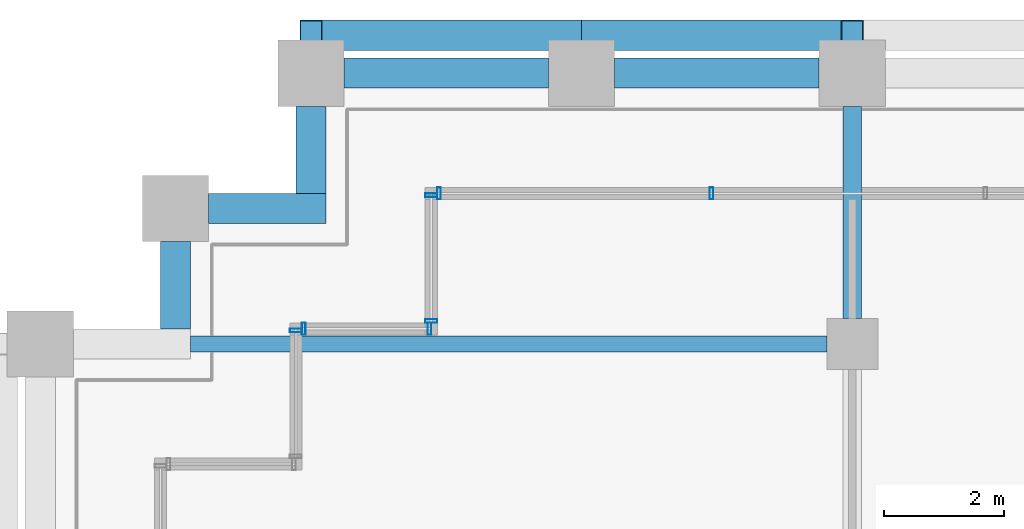
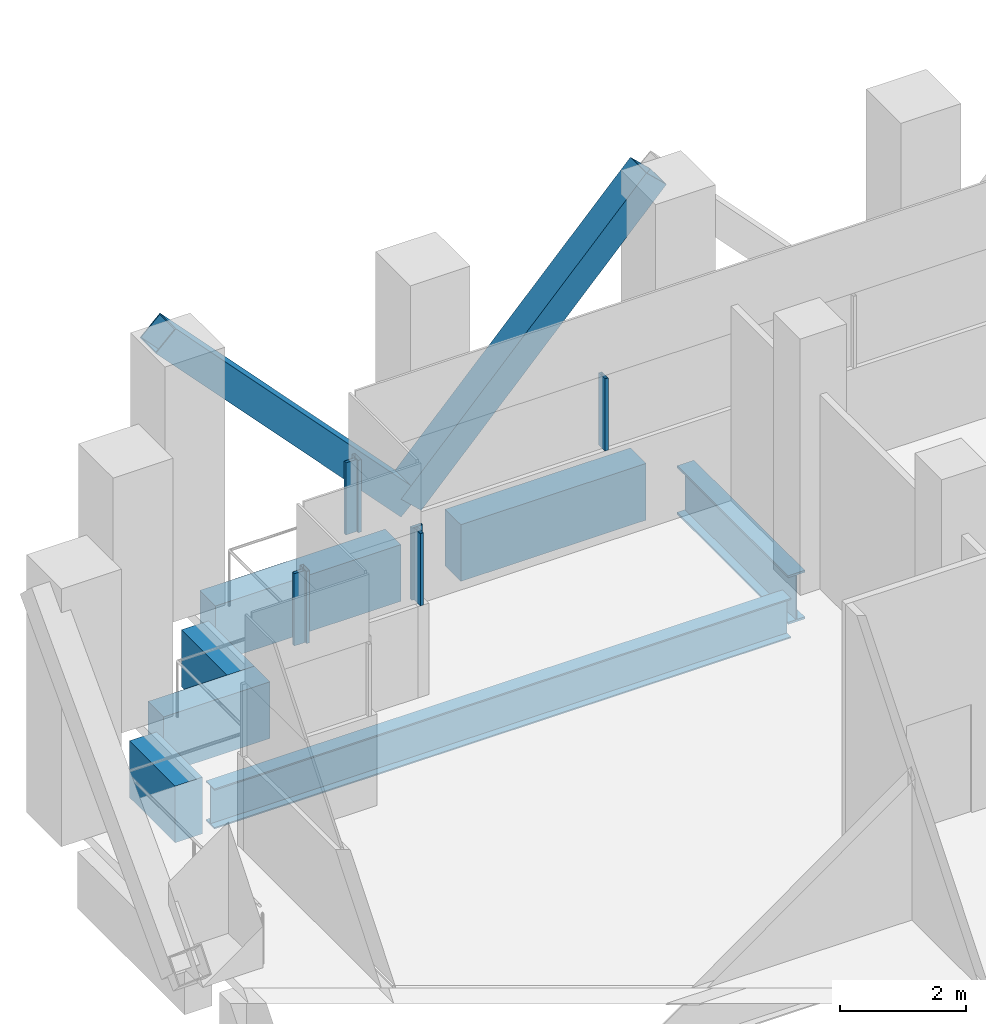
# One storey, part 18 of 44: 9 members, 7 beams, 4 elements without a shape of their own.
"""IFC4 building model written with IfcOpenShell, lengths in metres."""

from ifc_helpers import new_model, si_unit, direction, frame, origin, origin_2d, place, context, subcontext, project, spatial, rectangle, hollow_rectangle, i_section, extrude, material, material_profile, profile_set, type_object, element, aggregate, save


model = new_model("IFC4")

# Units and contexts
model_context = context("Model", 3, precision=1e-05, world=origin(), true_north=direction((0.0, 1.0)))
body_context = subcontext(model_context, "Body", "Model", "MODEL_VIEW")
ifc_project = project(units=[si_unit("LENGTHUNIT", "METRE"), si_unit("AREAUNIT", "SQUARE_METRE"), si_unit("VOLUMEUNIT", "CUBIC_METRE"), si_unit("PLANEANGLEUNIT", "RADIAN"), si_unit("MASSUNIT", "GRAM", prefix="KILO")], contexts=[model_context])

# Site, building, storey
site_placement = place(None, origin())
site = spatial("IfcSite", under=ifc_project, at=site_placement, CompositionType="ELEMENT")
building_placement = place(site_placement, origin())
building = spatial("IfcBuilding", under=site, at=building_placement, Name="Altepetl Exchange Towers", CompositionType="ELEMENT")
storey_placement = place(building_placement, frame((0.0, 0.0, 87.0)))
storey = spatial("IfcBuildingStorey", under=building, at=storey_placement, Name="L21 Refuge", CompositionType="ELEMENT", Elevation=87.0)

# Members
ifc_material_1 = material(Name="Steel S355", Category="steel")
ifc_material_profile_1 = material_profile(ifc_material_1, hollow_rectangle(XDim=0.508056640625, YDim=0.508056640625, WallThickness=0.017578125, at=origin_2d()), Name="HSS508X508X19.0")
ifc_profile_set_1 = profile_set([ifc_material_profile_1], Name="Steel S355")
member_type_1 = type_object("IfcMemberType", Name="Belt diagonal HSS508X508X19.0", PredefinedType="BRACE", material=ifc_profile_set_1)
for number, where, z_axis, x_axis, name in (
    (1, (40.5, 72.6298828125, 4.75), (-0.687744647911, 0.0, -0.725952683906), (0.0, -1.0, 0.0), "brc:A:L21:019"),
    (2, (36.0, 72.6298828125, 0.0), (-0.687744647911, 0.0, 0.725952683906), (0.0, -1.0, 0.0), "brc:A:L21:020"),
):
    element("IfcMember", number, at=place(storey_placement, frame(where, z_axis=z_axis, x_axis=x_axis)), inside=storey, type_object=member_type_1, Name=name, PredefinedType="BRACE", context=body_context, shape_type="SweptSolid", body=[
        extrude(hollow_rectangle(XDim=0.508056640625, YDim=0.508056640625, WallThickness=0.017578125, at=origin_2d()), origin(), (0.0, 0.0, 1.0), 6.543212890625),
    ])

# Beams
ifc_material_profile_2 = material_profile(ifc_material_1, i_section(OverallWidth=0.26806640625, OverallDepth=0.77392578125, WebThickness=0.015380859375, FlangeThickness=0.025390625, at=origin_2d()), Name="W30X132")
ifc_profile_set_2 = profile_set([ifc_material_profile_2], Name="Steel S355")
beam_type_1 = type_object("IfcBeamType", Name="Floor beam W30X132", PredefinedType="BEAM", material=ifc_profile_set_2)
beam_1_placement = place(storey_placement, frame((29.5, 67.5, -0.5869140625), z_axis=(1.0, 0.0, 0.0), x_axis=(0.0, 1.0, 0.0)))
element("IfcBeam", 3, at=beam_1_placement, inside=storey, type_object=beam_type_1, Name="bm:A:L21:023", PredefinedType="BEAM", context=body_context, shape_type="SweptSolid", body=[
    extrude(i_section(OverallWidth=0.26806640625, OverallDepth=0.77392578125, WebThickness=0.015380859375, FlangeThickness=0.025390625, at=origin_2d()), origin(), (0.0, 0.0, 1.0), 10.574951171875),
])
ifc_material_profile_3 = material_profile(ifc_material_1, i_section(OverallWidth=0.30810546875, OverallDepth=0.943115234375, WebThickness=0.022216796875, FlangeThickness=0.039794921875, at=origin_2d()), Name="W36X232")
ifc_profile_set_3 = profile_set([ifc_material_profile_3], Name="Steel S355")
beam_type_2 = type_object("IfcBeamType", Name="Girder W36X232", PredefinedType="BEAM", material=ifc_profile_set_3)
beam_2_placement = place(storey_placement, frame((40.5, 71.449951171875, -0.67138671875), z_axis=(0.0, -1.0, 0.0), x_axis=(1.0, 0.0, 0.0)))
element("IfcBeam", 4, at=beam_2_placement, inside=storey, type_object=beam_type_2, Name="gd:A:L21:003", PredefinedType="BEAM", context=body_context, shape_type="SweptSolid", body=[
    extrude(i_section(OverallWidth=0.30810546875, OverallDepth=0.943115234375, WebThickness=0.022216796875, FlangeThickness=0.039794921875, at=origin_2d()), origin(), (0.0, 0.0, 1.0), 3.52490234375),
])

# Curtain wall, members
ifc_material_2 = material(Name="Aluminium 6063-T6 glazing", Category="aluminium")
curtain_wall_type = type_object("IfcCurtainWallType", Name="Refuge slit glazing system", PredefinedType="NOTDEFINED", material=ifc_material_2)
curtain_wall_1_placement = place(storey_placement, origin())
curtain_wall_1 = element("IfcCurtainWall", 5, at=curtain_wall_1_placement, inside=storey, type_object=curtain_wall_type, Name="CW3 run", PredefinedType="NOTDEFINED")
ifc_material_3 = material(Name="Aluminium 6063-T6", Category="aluminium")
ifc_material_profile_4 = material_profile(ifc_material_3, hollow_rectangle(XDim=0.06005859375, YDim=0.199951171875, WallThickness=0.0029296875, at=origin_2d()), Name="Mullion 60x200 aluminium")
ifc_profile_set_4 = profile_set([ifc_material_profile_4], Name="Aluminium 6063-T6")
member_type_2 = type_object("IfcMemberType", Name="Mullion 60x200 aluminium", PredefinedType="MULLION", material=ifc_profile_set_4)
member_1_placement = place(storey_placement, frame((38.1572265625, 70.0, 1.800048828125), z_axis=(0.0, 0.0, 1.0), x_axis=(-1.0, 0.0, 0.0)))
member_1 = element("IfcMember", 6, at=member_1_placement, type_object=member_type_2, Name="MU2 mullion", PredefinedType="MULLION", context=body_context, shape_type="SweptSolid", body=[
    extrude(hollow_rectangle(XDim=0.06005859375, YDim=0.199951171875, WallThickness=0.0029296875, at=origin_2d()), origin(), (0.0, 0.0, 1.0), 1.39990234375),
])
member_2_placement = place(storey_placement, frame((33.6298828125, 70.0, 1.800048828125), z_axis=(0.0, 0.0, 1.0), x_axis=(-1.0, 0.0, 0.0)))
member_2 = element("IfcMember", 7, at=member_2_placement, type_object=member_type_2, Name="MU2 mullion", PredefinedType="MULLION", context=body_context, shape_type="SweptSolid", body=[
    extrude(hollow_rectangle(XDim=0.06005859375, YDim=0.199951171875, WallThickness=0.0029296875, at=origin_2d()), origin(), (0.0, 0.0, 1.0), 1.39990234375),
])
aggregate(curtain_wall_1, [member_1, member_2])

curtain_wall_2_placement = place(storey_placement, origin())
curtain_wall_2 = element("IfcCurtainWall", 8, at=curtain_wall_2_placement, inside=storey, type_object=curtain_wall_type, Name="CW3 run", PredefinedType="NOTDEFINED")
member_3_placement = place(storey_placement, frame((33.5, 69.969970703125, 1.800048828125), z_axis=(0.0, 0.0, 1.0), x_axis=(0.0, -1.0, 0.0)))
member_3 = element("IfcMember", 9, at=member_3_placement, type_object=member_type_2, Name="MU2 mullion", PredefinedType="MULLION", context=body_context, shape_type="SweptSolid", body=[
    extrude(hollow_rectangle(XDim=0.06005859375, YDim=0.199951171875, WallThickness=0.0029296875, at=origin_2d()), origin(), (0.0, 0.0, 1.0), 1.39990234375),
])
member_4_placement = place(storey_placement, frame((33.5, 67.8798828125, 1.800048828125), z_axis=(0.0, 0.0, 1.0), x_axis=(0.0, -1.0, 0.0)))
member_4 = element("IfcMember", 10, at=member_4_placement, type_object=member_type_2, Name="MU2 mullion", PredefinedType="MULLION", context=body_context, shape_type="SweptSolid", body=[
    extrude(hollow_rectangle(XDim=0.06005859375, YDim=0.199951171875, WallThickness=0.0029296875, at=origin_2d()), origin(), (0.0, 0.0, 1.0), 1.39990234375),
])
aggregate(curtain_wall_2, [member_3, member_4])

curtain_wall_3_placement = place(storey_placement, origin())
curtain_wall_3 = element("IfcCurtainWall", 11, at=curtain_wall_3_placement, inside=storey, type_object=curtain_wall_type, Name="CW3 run", PredefinedType="NOTDEFINED")
member_5_placement = place(storey_placement, frame((33.469970703125, 67.75, 1.800048828125), z_axis=(0.0, 0.0, 1.0), x_axis=(-1.0, 0.0, 0.0)))
member_5 = element("IfcMember", 12, at=member_5_placement, type_object=member_type_2, Name="MU2 mullion", PredefinedType="MULLION", context=body_context, shape_type="SweptSolid", body=[
    extrude(hollow_rectangle(XDim=0.06005859375, YDim=0.199951171875, WallThickness=0.0029296875, at=origin_2d()), origin(), (0.0, 0.0, 1.0), 1.39990234375),
])
member_6_placement = place(storey_placement, frame((31.3798828125, 67.75, 1.800048828125), z_axis=(0.0, 0.0, 1.0), x_axis=(-1.0, 0.0, 0.0)))
member_6 = element("IfcMember", 13, at=member_6_placement, type_object=member_type_2, Name="MU2 mullion", PredefinedType="MULLION", context=body_context, shape_type="SweptSolid", body=[
    extrude(hollow_rectangle(XDim=0.06005859375, YDim=0.199951171875, WallThickness=0.0029296875, at=origin_2d()), origin(), (0.0, 0.0, 1.0), 1.39990234375),
])
aggregate(curtain_wall_3, [member_5, member_6])

# Curtain wall, member
curtain_wall_4_placement = place(storey_placement, origin())
curtain_wall_4 = element("IfcCurtainWall", 14, at=curtain_wall_4_placement, inside=storey, type_object=curtain_wall_type, Name="CW3 run", PredefinedType="NOTDEFINED")
member_7_placement = place(storey_placement, frame((31.25, 67.719970703125, 1.800048828125), z_axis=(0.0, 0.0, 1.0), x_axis=(0.0, -1.0, 0.0)))
member_7 = element("IfcMember", 15, at=member_7_placement, type_object=member_type_2, Name="MU2 mullion", PredefinedType="MULLION", context=body_context, shape_type="SweptSolid", body=[
    extrude(hollow_rectangle(XDim=0.06005859375, YDim=0.199951171875, WallThickness=0.0029296875, at=origin_2d()), origin(), (0.0, 0.0, 1.0), 1.39990234375),
])
aggregate(curtain_wall_4, [member_7])

# Beams
ifc_material_4 = material(Name="Concrete C50/60 precast with tezontle facing", Category="concrete")
ifc_material_profile_5 = material_profile(ifc_material_4, rectangle(XDim=0.5, YDim=1.10009765625, at=origin_2d()), Name="500 x 1100")
ifc_profile_set_5 = profile_set([ifc_material_profile_5], Name="Concrete C50/60 precast with tezontle facing")
beam_type_3 = type_object("IfcBeamType", Name="Spandrel beam 500x1100 tezontle", PredefinedType="SPANDREL", material=ifc_profile_set_5)
for number, where, z_axis, x_axis, name in (
    (16, (39.949951171875, 72.0, -0.75), (-1.0, 0.0, 0.0), (0.0, -1.0, 0.0), "sp:A:L21:030"),
    (17, (35.449951171875, 72.0, -0.75), (-1.0, 0.0, 0.0), (0.0, -1.0, 0.0), "sp:A:L21:031"),
):
    element("IfcBeam", number, at=place(storey_placement, frame(where, z_axis=z_axis, x_axis=x_axis)), inside=storey, type_object=beam_type_3, Name=name, PredefinedType="SPANDREL", context=body_context, shape_type="SweptSolid", body=[
        extrude(rectangle(XDim=0.5, YDim=1.10009765625, at=origin_2d()), origin(), (0.0, 0.0, 1.0), 3.39990234375),
    ])
beam_3_placement = place(storey_placement, frame((31.5, 71.449951171875, -0.75), z_axis=(0.0, -1.0, 0.0), x_axis=(1.0, 0.0, 0.0)))
element("IfcBeam", 18, at=beam_3_placement, inside=storey, type_object=beam_type_3, Name="sp:A:L21:032", PredefinedType="SPANDREL", context=body_context, shape_type="SweptSolid", body=[
    extrude(rectangle(XDim=0.5, YDim=1.10009765625, at=origin_2d()), origin(), (0.0, 0.0, 1.0), 1.449951171875),
])
beam_4_placement = place(storey_placement, frame((31.75, 69.75, -0.75), z_axis=(-1.0, 0.0, 0.0), x_axis=(0.0, -1.0, 0.0)))
element("IfcBeam", 19, at=beam_4_placement, inside=storey, type_object=beam_type_3, Name="sp:A:L21:033", PredefinedType="SPANDREL", context=body_context, shape_type="SweptSolid", body=[
    extrude(rectangle(XDim=0.5, YDim=1.10009765625, at=origin_2d()), origin(), (0.0, 0.0, 1.0), 1.949951171875),
])
beam_5_placement = place(storey_placement, frame((29.25, 69.199951171875, -0.75), z_axis=(0.0, -1.0, 0.0), x_axis=(1.0, 0.0, 0.0)))
element("IfcBeam", 20, at=beam_5_placement, inside=storey, type_object=beam_type_3, Name="sp:A:L21:034", PredefinedType="SPANDREL", context=body_context, shape_type="SweptSolid", body=[
    extrude(rectangle(XDim=0.5, YDim=1.10009765625, at=origin_2d()), origin(), (0.0, 0.0, 1.0), 1.449951171875),
])

save(model, "model.ifc")
